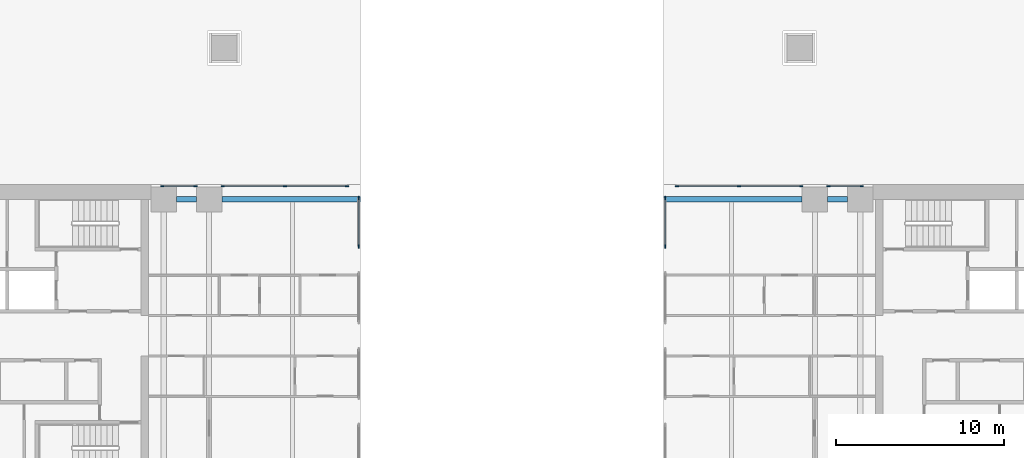
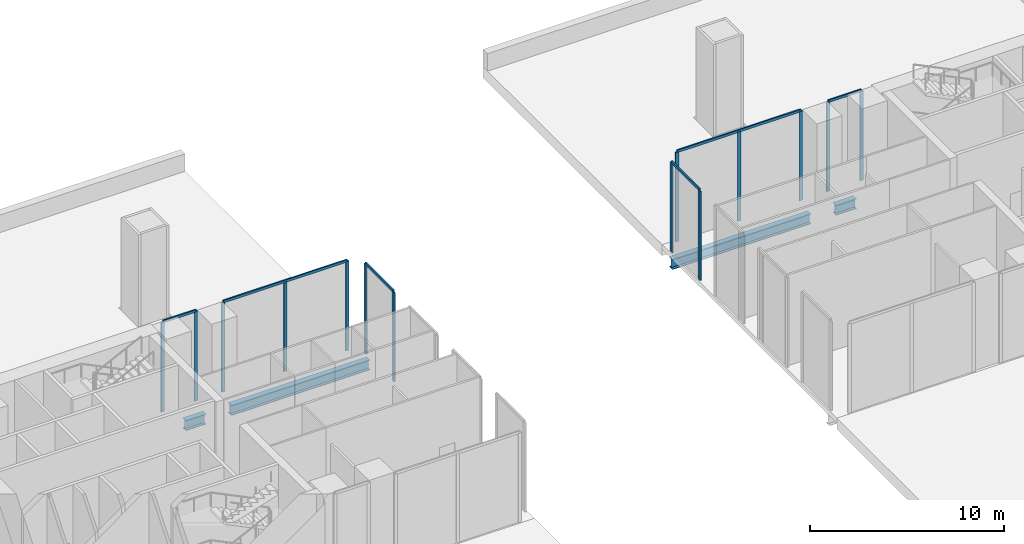
# One storey, part 4 of 13: 20 members, 4 beams, 6 elements without a shape of their own.
"""IFC4 building model written with IfcOpenShell, lengths in metres."""

from ifc_helpers import new_model, si_unit, direction, frame, origin, origin_2d, place, context, subcontext, project, spatial, rectangle, i_section, extrude, material, material_profile, profile_set, type_object, element, aggregate, save


model = new_model("IFC4")

# Units and contexts
model_context = context("Model", 3, precision=1e-05, world=origin(), true_north=direction((0.0, 1.0)))
body_context = subcontext(model_context, "Body", "Model", "MODEL_VIEW")
ifc_project = project(units=[si_unit("LENGTHUNIT", "METRE"), si_unit("AREAUNIT", "SQUARE_METRE"), si_unit("VOLUMEUNIT", "CUBIC_METRE"), si_unit("PLANEANGLEUNIT", "RADIAN"), si_unit("MASSUNIT", "GRAM", prefix="KILO")], contexts=[model_context])

# Site, building, storey
site_placement = place(None, origin())
site = spatial("IfcSite", under=ifc_project, at=site_placement, CompositionType="ELEMENT")
building_placement = place(site_placement, origin())
building = spatial("IfcBuilding", under=site, at=building_placement, Name="Perihelion Cross Residences", CompositionType="ELEMENT")
storey_placement = place(building_placement, frame((0.0, 0.0, 15.0)))
storey = spatial("IfcBuildingStorey", under=building, at=storey_placement, Name="L01", CompositionType="ELEMENT", Elevation=15.0)

# Curtain wall, members
ifc_material_1 = material(Name="Bronze anodised aluminium, tinted glazing", Category="aluminium")
curtain_wall_type = type_object("IfcCurtainWallType", Name="CW2", PredefinedType="NOTDEFINED", material=ifc_material_1)
curtain_wall_1_placement = place(storey_placement, origin())
curtain_wall_1 = element("IfcCurtainWall", 1, at=curtain_wall_1_placement, inside=storey, type_object=curtain_wall_type, Name="Curtain wall CW2 L01 east side north bay 1", PredefinedType="NOTDEFINED")
ifc_material_2 = material(Name="Bronze anodised aluminium", Category="aluminium")
ifc_material_profile_1 = material_profile(ifc_material_2, rectangle(XDim=0.080078125, YDim=0.199951171875, at=origin_2d()), Name="CW2 mullion")
ifc_profile_set_1 = profile_set([ifc_material_profile_1], Name="Bronze anodised aluminium")
member_type_1 = type_object("IfcMemberType", Name="CW2 mullion", PredefinedType="MULLION", material=ifc_profile_set_1)
member_1_placement = place(storey_placement, frame((20.7900390625, 8.889892578125, 0.0), z_axis=(0.0, 0.0, 1.0), x_axis=(0.0, -1.0, 0.0)))
member_1 = element("IfcMember", 2, at=member_1_placement, type_object=member_type_1, Name="CW2 mullion 1", PredefinedType="MULLION", context=body_context, shape_type="SweptSolid", body=[
    extrude(rectangle(XDim=0.080078125, YDim=0.199951171875, at=origin_2d()), origin(), (0.0, 0.0, 1.0), 5.6201171875),
])
member_2_placement = place(storey_placement, frame((18.81005859375, 8.889892578125, 0.0), z_axis=(0.0, 0.0, 1.0), x_axis=(0.0, -1.0, 0.0)))
member_2 = element("IfcMember", 3, at=member_2_placement, type_object=member_type_1, Name="CW2 mullion 2", PredefinedType="MULLION", context=body_context, shape_type="SweptSolid", body=[
    extrude(rectangle(XDim=0.080078125, YDim=0.199951171875, at=origin_2d()), origin(), (0.0, 0.0, 1.0), 5.6201171875),
])

curtain_wall_2_placement = place(storey_placement, origin())
curtain_wall_2 = element("IfcCurtainWall", 4, at=curtain_wall_2_placement, inside=storey, type_object=curtain_wall_type, Name="Curtain wall CW2 L01 east side north bay 2", PredefinedType="NOTDEFINED")
member_3_placement = place(storey_placement, frame((17.18994140625, 8.889892578125, 0.0), z_axis=(0.0, 0.0, 1.0), x_axis=(0.0, -1.0, 0.0)))
member_3 = element("IfcMember", 5, at=member_3_placement, type_object=member_type_1, Name="CW2 mullion 1", PredefinedType="MULLION", context=body_context, shape_type="SweptSolid", body=[
    extrude(rectangle(XDim=0.080078125, YDim=0.199951171875, at=origin_2d()), origin(), (0.0, 0.0, 1.0), 5.6201171875),
])
member_4_placement = place(storey_placement, frame((13.5, 8.889892578125, 0.0), z_axis=(0.0, 0.0, 1.0), x_axis=(0.0, -1.0, 0.0)))
member_4 = element("IfcMember", 6, at=member_4_placement, type_object=member_type_1, Name="CW2 mullion 2", PredefinedType="MULLION", context=body_context, shape_type="SweptSolid", body=[
    extrude(rectangle(XDim=0.080078125, YDim=0.199951171875, at=origin_2d()), origin(), (0.0, 0.0, 1.0), 5.6201171875),
])
member_5_placement = place(storey_placement, frame((9.81005859375, 8.889892578125, 0.0), z_axis=(0.0, 0.0, 1.0), x_axis=(0.0, -1.0, 0.0)))
member_5 = element("IfcMember", 7, at=member_5_placement, type_object=member_type_1, Name="CW2 mullion 3", PredefinedType="MULLION", context=body_context, shape_type="SweptSolid", body=[
    extrude(rectangle(XDim=0.080078125, YDim=0.199951171875, at=origin_2d()), origin(), (0.0, 0.0, 1.0), 5.6201171875),
])

curtain_wall_3_placement = place(storey_placement, origin())
curtain_wall_3 = element("IfcCurtainWall", 8, at=curtain_wall_3_placement, inside=storey, type_object=curtain_wall_type, Name="Curtain wall CW2 L01 west side north bay 1", PredefinedType="NOTDEFINED")
member_6_placement = place(storey_placement, frame((-9.81005859375, 8.889892578125, 0.0), z_axis=(0.0, 0.0, 1.0), x_axis=(0.0, -1.0, 0.0)))
member_6 = element("IfcMember", 9, at=member_6_placement, type_object=member_type_1, Name="CW2 mullion 1", PredefinedType="MULLION", context=body_context, shape_type="SweptSolid", body=[
    extrude(rectangle(XDim=0.080078125, YDim=0.199951171875, at=origin_2d()), origin(), (0.0, 0.0, 1.0), 5.6201171875),
])
member_7_placement = place(storey_placement, frame((-13.5, 8.889892578125, 0.0), z_axis=(0.0, 0.0, 1.0), x_axis=(0.0, -1.0, 0.0)))
member_7 = element("IfcMember", 10, at=member_7_placement, type_object=member_type_1, Name="CW2 mullion 2", PredefinedType="MULLION", context=body_context, shape_type="SweptSolid", body=[
    extrude(rectangle(XDim=0.080078125, YDim=0.199951171875, at=origin_2d()), origin(), (0.0, 0.0, 1.0), 5.6201171875),
])
member_8_placement = place(storey_placement, frame((-17.18994140625, 8.889892578125, 0.0), z_axis=(0.0, 0.0, 1.0), x_axis=(0.0, -1.0, 0.0)))
member_8 = element("IfcMember", 11, at=member_8_placement, type_object=member_type_1, Name="CW2 mullion 3", PredefinedType="MULLION", context=body_context, shape_type="SweptSolid", body=[
    extrude(rectangle(XDim=0.080078125, YDim=0.199951171875, at=origin_2d()), origin(), (0.0, 0.0, 1.0), 5.6201171875),
])

curtain_wall_4_placement = place(storey_placement, origin())
curtain_wall_4 = element("IfcCurtainWall", 12, at=curtain_wall_4_placement, inside=storey, type_object=curtain_wall_type, Name="Curtain wall CW2 L01 west side north bay 2", PredefinedType="NOTDEFINED")
member_9_placement = place(storey_placement, frame((-18.81005859375, 8.889892578125, 0.0), z_axis=(0.0, 0.0, 1.0), x_axis=(0.0, -1.0, 0.0)))
member_9 = element("IfcMember", 13, at=member_9_placement, type_object=member_type_1, Name="CW2 mullion 1", PredefinedType="MULLION", context=body_context, shape_type="SweptSolid", body=[
    extrude(rectangle(XDim=0.080078125, YDim=0.199951171875, at=origin_2d()), origin(), (0.0, 0.0, 1.0), 5.6201171875),
])
member_10_placement = place(storey_placement, frame((-20.7900390625, 8.889892578125, 0.0), z_axis=(0.0, 0.0, 1.0), x_axis=(0.0, -1.0, 0.0)))
member_10 = element("IfcMember", 14, at=member_10_placement, type_object=member_type_1, Name="CW2 mullion 2", PredefinedType="MULLION", context=body_context, shape_type="SweptSolid", body=[
    extrude(rectangle(XDim=0.080078125, YDim=0.199951171875, at=origin_2d()), origin(), (0.0, 0.0, 1.0), 5.6201171875),
])

curtain_wall_5_placement = place(storey_placement, origin())
curtain_wall_5 = element("IfcCurtainWall", 15, at=curtain_wall_5_placement, inside=storey, type_object=curtain_wall_type, Name="Curtain wall CW2 L01 east inner east bay 1", PredefinedType="NOTDEFINED")
member_11_placement = place(storey_placement, frame((9.110107421875, 8.18994140625, 0.0), z_axis=(0.0, 0.0, 1.0), x_axis=(1.0, 0.0, 0.0)))
member_11 = element("IfcMember", 16, at=member_11_placement, type_object=member_type_1, Name="CW2 mullion 1", PredefinedType="MULLION", context=body_context, shape_type="SweptSolid", body=[
    extrude(rectangle(XDim=0.080078125, YDim=0.199951171875, at=origin_2d()), origin(), (0.0, 0.0, 1.0), 5.6201171875),
])
member_12_placement = place(storey_placement, frame((9.110107421875, 5.31005859375, 0.0), z_axis=(0.0, 0.0, 1.0), x_axis=(1.0, 0.0, 0.0)))
member_12 = element("IfcMember", 17, at=member_12_placement, type_object=member_type_1, Name="CW2 mullion 2", PredefinedType="MULLION", context=body_context, shape_type="SweptSolid", body=[
    extrude(rectangle(XDim=0.080078125, YDim=0.199951171875, at=origin_2d()), origin(), (0.0, 0.0, 1.0), 5.6201171875),
])

curtain_wall_6_placement = place(storey_placement, origin())
curtain_wall_6 = element("IfcCurtainWall", 18, at=curtain_wall_6_placement, inside=storey, type_object=curtain_wall_type, Name="Curtain wall CW2 L01 west inner west bay 4", PredefinedType="NOTDEFINED")
member_13_placement = place(storey_placement, frame((-9.110107421875, 5.31005859375, 0.0), z_axis=(0.0, 0.0, 1.0), x_axis=(-1.0, 0.0, 0.0)))
member_13 = element("IfcMember", 19, at=member_13_placement, type_object=member_type_1, Name="CW2 mullion 1", PredefinedType="MULLION", context=body_context, shape_type="SweptSolid", body=[
    extrude(rectangle(XDim=0.080078125, YDim=0.199951171875, at=origin_2d()), origin(), (0.0, 0.0, 1.0), 5.6201171875),
])
member_14_placement = place(storey_placement, frame((-9.110107421875, 8.18994140625, 0.0), z_axis=(0.0, 0.0, 1.0), x_axis=(-1.0, 0.0, 0.0)))
member_14 = element("IfcMember", 20, at=member_14_placement, type_object=member_type_1, Name="CW2 mullion 2", PredefinedType="MULLION", context=body_context, shape_type="SweptSolid", body=[
    extrude(rectangle(XDim=0.080078125, YDim=0.199951171875, at=origin_2d()), origin(), (0.0, 0.0, 1.0), 5.6201171875),
])

# Member
ifc_material_3 = material(Name="Bronze anodised aluminium", Category="aluminium")
ifc_material_profile_2 = material_profile(ifc_material_3, rectangle(XDim=0.080078125, YDim=0.159912109375, at=origin_2d()), Name="CW2 transom")
ifc_profile_set_2 = profile_set([ifc_material_profile_2], Name="Bronze anodised aluminium")
member_type_2 = type_object("IfcMemberType", Name="CW2 transom", PredefinedType="USERDEFINED", material=ifc_profile_set_2)
member_15_placement = place(storey_placement, frame((20.7900390625, 8.889892578125, 5.659912109375), z_axis=(-1.0, 0.0, 0.0), x_axis=(0.0, -1.0, 0.0)))
member_15 = element("IfcMember", 21, at=member_15_placement, type_object=member_type_2, Name="CW2 head transom", ObjectType="TRANSOM", PredefinedType="USERDEFINED", context=body_context, shape_type="SweptSolid", body=[
    extrude(rectangle(XDim=0.080078125, YDim=0.159912109375, at=origin_2d()), origin(), (0.0, 0.0, 1.0), 1.97998046875),
])

aggregate(curtain_wall_1, [member_1, member_2, member_15])

member_16_placement = place(storey_placement, frame((17.18994140625, 8.889892578125, 5.659912109375), z_axis=(-1.0, 0.0, 0.0), x_axis=(0.0, -1.0, 0.0)))
member_16 = element("IfcMember", 22, at=member_16_placement, type_object=member_type_2, Name="CW2 head transom", ObjectType="TRANSOM", PredefinedType="USERDEFINED", context=body_context, shape_type="SweptSolid", body=[
    extrude(rectangle(XDim=0.080078125, YDim=0.159912109375, at=origin_2d()), origin(), (0.0, 0.0, 1.0), 7.3798828125),
])

aggregate(curtain_wall_2, [member_3, member_4, member_5, member_16])

member_17_placement = place(storey_placement, frame((-9.81005859375, 8.889892578125, 5.659912109375), z_axis=(-1.0, 0.0, 0.0), x_axis=(0.0, -1.0, 0.0)))
member_17 = element("IfcMember", 23, at=member_17_placement, type_object=member_type_2, Name="CW2 head transom", ObjectType="TRANSOM", PredefinedType="USERDEFINED", context=body_context, shape_type="SweptSolid", body=[
    extrude(rectangle(XDim=0.080078125, YDim=0.159912109375, at=origin_2d()), origin(), (0.0, 0.0, 1.0), 7.3798828125),
])

aggregate(curtain_wall_3, [member_6, member_7, member_8, member_17])

member_18_placement = place(storey_placement, frame((-18.81005859375, 8.889892578125, 5.659912109375), z_axis=(-1.0, 0.0, 0.0), x_axis=(0.0, -1.0, 0.0)))
member_18 = element("IfcMember", 24, at=member_18_placement, type_object=member_type_2, Name="CW2 head transom", ObjectType="TRANSOM", PredefinedType="USERDEFINED", context=body_context, shape_type="SweptSolid", body=[
    extrude(rectangle(XDim=0.080078125, YDim=0.159912109375, at=origin_2d()), origin(), (0.0, 0.0, 1.0), 1.97998046875),
])

aggregate(curtain_wall_4, [member_9, member_10, member_18])

member_19_placement = place(storey_placement, frame((9.110107421875, 8.18994140625, 5.659912109375), z_axis=(0.0, -1.0, 0.0), x_axis=(1.0, 0.0, 0.0)))
member_19 = element("IfcMember", 25, at=member_19_placement, type_object=member_type_2, Name="CW2 head transom", ObjectType="TRANSOM", PredefinedType="USERDEFINED", context=body_context, shape_type="SweptSolid", body=[
    extrude(rectangle(XDim=0.080078125, YDim=0.159912109375, at=origin_2d()), origin(), (0.0, 0.0, 1.0), 2.8798828125),
])

aggregate(curtain_wall_5, [member_11, member_12, member_19])

member_20_placement = place(storey_placement, frame((-9.110107421875, 5.31005859375, 5.659912109375), z_axis=(0.0, 1.0, 0.0), x_axis=(-1.0, 0.0, 0.0)))
member_20 = element("IfcMember", 26, at=member_20_placement, type_object=member_type_2, Name="CW2 head transom", ObjectType="TRANSOM", PredefinedType="USERDEFINED", context=body_context, shape_type="SweptSolid", body=[
    extrude(rectangle(XDim=0.080078125, YDim=0.159912109375, at=origin_2d()), origin(), (0.0, 0.0, 1.0), 2.8798828125),
])

aggregate(curtain_wall_6, [member_13, member_14, member_20])

# Beams
ifc_material_4 = material(Name="Steel S355", Category="steel")
ifc_material_profile_3 = material_profile(ifc_material_4, i_section(OverallWidth=0.330078125, OverallDepth=0.635009765625, WebThickness=0.017822265625, FlangeThickness=0.031005859375, at=origin_2d()), Name="W610x241")
ifc_profile_set_3 = profile_set([ifc_material_profile_3], Name="Steel S355")
beam_type = type_object("IfcBeamType", Name="Edge beam W610x241", PredefinedType="SPANDREL", material=ifc_profile_set_3)
for number, where, z_axis, x_axis, name in (
    (27, (19.949951171875, 8.10009765625, -0.617431640625), (-1.0, 0.0, 0.0), (0.0, -1.0, 0.0), "Edge beam SB1 L01 no. 4"),
    (28, (-18.75, 8.10009765625, -0.617431640625), (-1.0, 0.0, 0.0), (0.0, -1.0, 0.0), "Edge beam SB1 L01 no. 1"),
):
    element("IfcBeam", number, at=place(storey_placement, frame(where, z_axis=z_axis, x_axis=x_axis)), inside=storey, type_object=beam_type, Name=name, PredefinedType="SPANDREL", context=body_context, shape_type="SweptSolid", body=[
        extrude(i_section(OverallWidth=0.330078125, OverallDepth=0.635009765625, WebThickness=0.017822265625, FlangeThickness=0.031005859375, at=origin_2d()), origin(), (0.0, 0.0, 1.0), 1.199951171875),
    ])
for number, where, z_axis, x_axis, name in (
    (29, (9.0, 8.10009765625, -0.617431640625), (1.0, 0.0, 0.0), (0.0, 1.0, 0.0), "Edge beam SB1 L01 pier no. 4"),
    (30, (-9.0, 8.10009765625, -0.617431640625), (-1.0, 0.0, 0.0), (0.0, -1.0, 0.0), "Edge beam SB1 L01 pier no. 2"),
):
    element("IfcBeam", number, at=place(storey_placement, frame(where, z_axis=z_axis, x_axis=x_axis)), inside=storey, type_object=beam_type, Name=name, PredefinedType="SPANDREL", context=body_context, shape_type="SweptSolid", body=[
        extrude(i_section(OverallWidth=0.330078125, OverallDepth=0.635009765625, WebThickness=0.017822265625, FlangeThickness=0.031005859375, at=origin_2d()), origin(), (0.0, 0.0, 1.0), 8.25),
    ])

save(model, "model.ifc")
